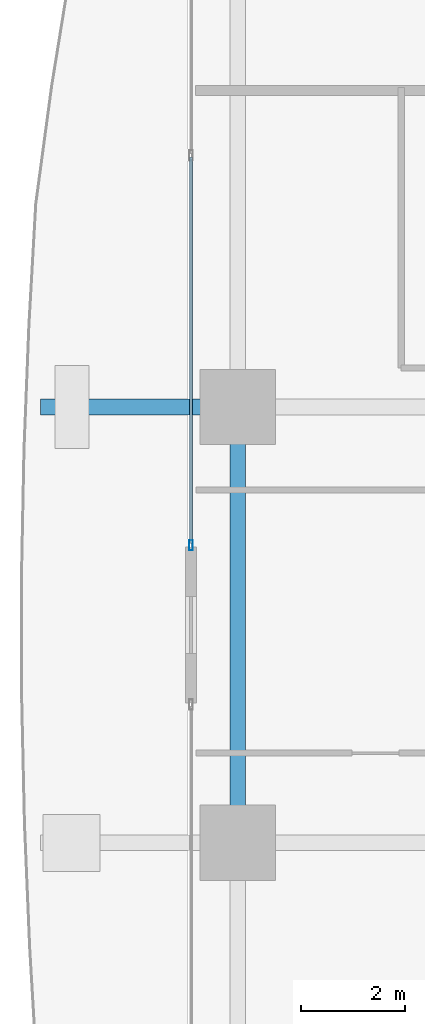
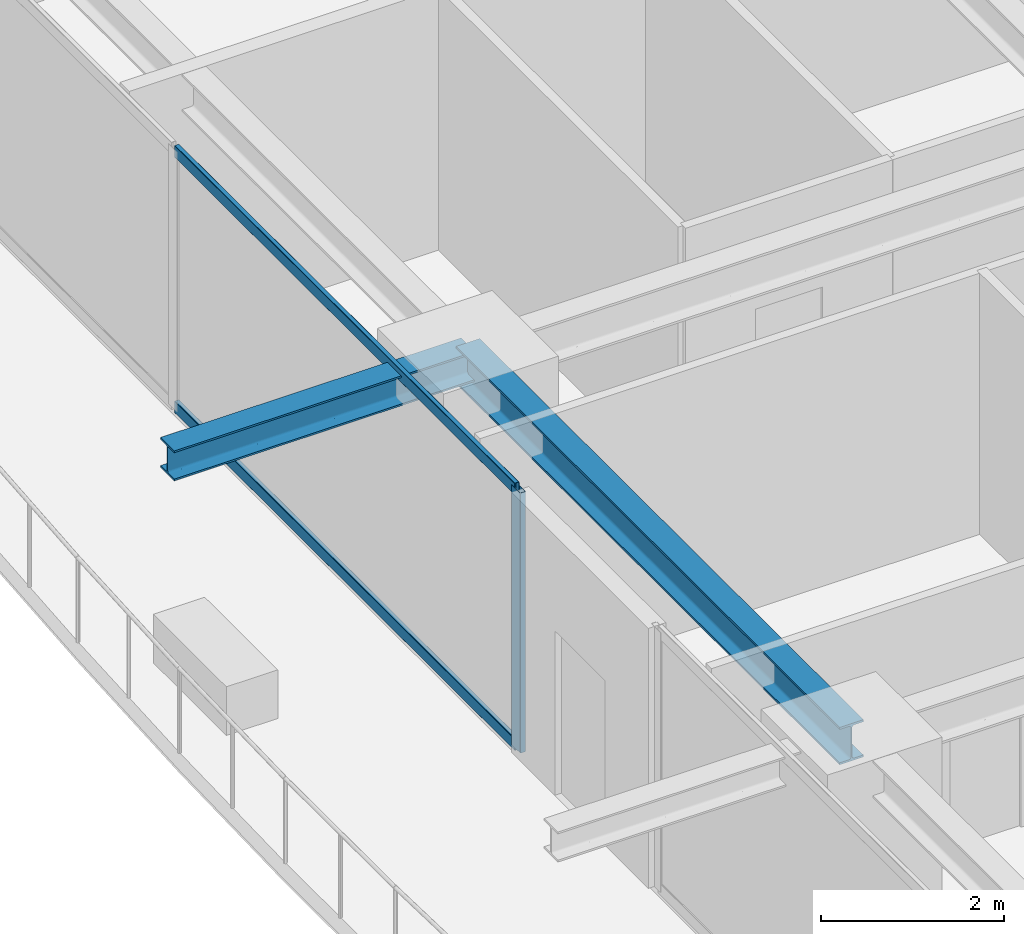
# One storey, part 8 of 35: 3 members, 2 beams, 1 element without a shape of its own.
"""IFC4 building model written with IfcOpenShell, lengths in metres."""

from ifc_helpers import new_model, si_unit, direction, frame, origin, origin_2d, place, context, subcontext, project, spatial, hollow_rectangle, i_section, extrude, source, transform, mapped, material, layer, layer_set, material_profile, profile_set, type_object, element, aggregate, save


model = new_model("IFC4")

# Units and contexts
model_context = context("Model", 3, precision=1e-05, world=origin(), true_north=direction((0.0, 1.0)))
body_context = subcontext(model_context, "Body", "Model", "MODEL_VIEW")
ifc_project = project(units=[si_unit("LENGTHUNIT", "METRE"), si_unit("AREAUNIT", "SQUARE_METRE"), si_unit("VOLUMEUNIT", "CUBIC_METRE"), si_unit("PLANEANGLEUNIT", "RADIAN"), si_unit("MASSUNIT", "GRAM", prefix="KILO")], contexts=[model_context])

# Site, building, storey
site_placement = place(None, origin())
site = spatial("IfcSite", under=ifc_project, at=site_placement, CompositionType="ELEMENT")
building_placement = place(site_placement, origin())
building = spatial("IfcBuilding", under=site, at=building_placement, Name="Serunith Strait Residences", CompositionType="ELEMENT")
storey_placement = place(building_placement, frame((0.0, 0.0, 56.699951171875)))
storey = spatial("IfcBuildingStorey", under=building, at=storey_placement, Name="L13", CompositionType="ELEMENT", Elevation=56.699951171875)

# Beams
ifc_material_1 = material(Name="Steel S355J2", Category="steel")
ifc_material_profile_1 = material_profile(ifc_material_1, i_section(OverallWidth=0.300048828125, OverallDepth=0.5, WebThickness=0.014404296875, FlangeThickness=0.028076171875, FilletRadius=0.027099609375, at=origin_2d()), Name="HEB 500")
ifc_profile_set_1 = profile_set([ifc_material_profile_1], Name="Steel S355J2")
beam_type_1 = type_object("IfcBeamType", Name="BM-HEB500", PredefinedType="BEAM", material=ifc_profile_set_1)
shared_shape_1 = source(origin(), body_context, "Body", "SweptSolid", [
    extrude(i_section(OverallWidth=0.300048828125, OverallDepth=0.5, WebThickness=0.014404296875, FlangeThickness=0.028076171875, FilletRadius=0.027099609375, at=origin_2d()), origin(), (0.0, 0.0, 1.0), 8.39990234375),
])
beam_1_placement = place(storey_placement, frame((6.89990234375, 29.39990234375, 3.237060546875), z_axis=(0.0, -1.0, 0.0), x_axis=(1.0, 0.0, 0.0)))
element("IfcBeam", 1, at=beam_1_placement, inside=storey, type_object=beam_type_1, Name="L13 Perimeter Ring Beam 14", PredefinedType="BEAM", context=body_context, shape_type="MappedRepresentation", body=[
    mapped(shared_shape_1, transform((0.0, 0.0, 0.0), scale=1.0)),
])
ifc_material_profile_2 = material_profile(ifc_material_1, i_section(OverallWidth=0.300048828125, OverallDepth=0.39990234375, WebThickness=0.013427734375, FlangeThickness=0.02392578125, FilletRadius=0.027099609375, at=origin_2d()), Name="HEB 400")
ifc_profile_set_2 = profile_set([ifc_material_profile_2], Name="Steel S355J2")
beam_type_2 = type_object("IfcBeamType", Name="BM-HEB400", PredefinedType="BEAM", material=ifc_profile_set_2)
shared_shape_2 = source(origin(), body_context, "Body", "SweptSolid", [
    extrude(i_section(OverallWidth=0.300048828125, OverallDepth=0.39990234375, WebThickness=0.013427734375, FlangeThickness=0.02392578125, FilletRadius=0.027099609375, at=origin_2d()), origin(), (0.0, 0.0, 1.0), 3.7998046875),
])
beam_2_placement = place(storey_placement, frame((6.89990234375, 29.39990234375, 3.257080078125), z_axis=(-1.0, 0.0, 0.0), x_axis=(0.0, -1.0, 0.0)))
element("IfcBeam", 2, at=beam_2_placement, inside=storey, type_object=beam_type_2, Name="L14 Cantilevered Balcony Rib TC-W3", PredefinedType="BEAM", context=body_context, shape_type="MappedRepresentation", body=[
    mapped(shared_shape_2, transform((0.0, 0.0, 0.0), scale=1.0)),
])

# Curtain wall, members
ifc_material_2 = material(Name="Pale-Champagne Anodised Aluminium", Category="aluminium")
ifc_layer = layer(ifc_material_2, 0.199951171875, Name="Pale-Champagne Anodised Aluminium")
ifc_layer_set = layer_set([ifc_layer], Name="Pale-Champagne Anodised Aluminium")
curtain_wall_type = type_object("IfcCurtainWallType", Name="CW-SYS1", PredefinedType="NOTDEFINED", material=ifc_layer_set)
curtain_wall_placement = place(storey_placement, origin())
curtain_wall = element("IfcCurtainWall", 3, at=curtain_wall_placement, inside=storey, type_object=curtain_wall_type, Name="L13 W Unitised Fritted Curtain Wall", PredefinedType="NOTDEFINED")
ifc_material_profile_3 = material_profile(ifc_material_2, hollow_rectangle(XDim=0.070068359375, YDim=0.199951171875, WallThickness=0.00390625, InnerFilletRadius=0.006103515625, OuterFilletRadius=0.010009765625, at=origin_2d()), Name="ALU 200x70x4")
ifc_profile_set_3 = profile_set([ifc_material_profile_3], Name="Pale-Champagne Anodised Aluminium")
member_type_1 = type_object("IfcMemberType", Name="CW-SYS1-MULL", PredefinedType="MULLION", material=ifc_profile_set_3)
shared_shape_3 = source(origin(), body_context, "Body", "SweptSolid", [
    extrude(hollow_rectangle(XDim=0.070068359375, YDim=0.199951171875, WallThickness=0.00390625, InnerFilletRadius=0.006103515625, OuterFilletRadius=0.010009765625, at=origin_2d()), origin(), (0.0, 0.0, 1.0), 3.47509765625),
])
member_1_placement = place(storey_placement, frame((6.0, 26.735107421875, 0.0), z_axis=(0.0, 0.0, 1.0), x_axis=(1.0, 0.0, 0.0)))
member_1 = element("IfcMember", 4, at=member_1_placement, type_object=member_type_1, Name="CW-1 mullion 3", PredefinedType="MULLION", context=body_context, shape_type="MappedRepresentation", body=[
    mapped(shared_shape_3, transform((0.0, 0.0, 0.0), scale=1.0)),
])
ifc_material_profile_4 = material_profile(ifc_material_2, hollow_rectangle(XDim=0.06005859375, YDim=0.159912109375, WallThickness=0.00341796875, InnerFilletRadius=0.00537109375, OuterFilletRadius=0.0087890625, at=origin_2d()), Name="ALU 160x60x3.5")
ifc_profile_set_4 = profile_set([ifc_material_profile_4], Name="Pale-Champagne Anodised Aluminium")
member_type_2 = type_object("IfcMemberType", Name="CW-SYS1-TRAN", PredefinedType="USERDEFINED", material=ifc_profile_set_4)
shared_shape_4 = source(origin(), body_context, "Body", "SweptSolid", [
    extrude(hollow_rectangle(XDim=0.06005859375, YDim=0.159912109375, WallThickness=0.00341796875, InnerFilletRadius=0.00537109375, OuterFilletRadius=0.0087890625, at=origin_2d()), origin(), (0.0, 0.0, 1.0), 7.445068359375),
])
member_2_placement = place(storey_placement, frame((6.0, 34.215087890625, 0.030029296875), z_axis=(0.0, -1.0, 0.0), x_axis=(1.0, 0.0, 0.0)))
member_2 = element("IfcMember", 5, at=member_2_placement, type_object=member_type_2, Name="CW-1 transom 2.1", ObjectType="TRANSOM", PredefinedType="USERDEFINED", context=body_context, shape_type="MappedRepresentation", body=[
    mapped(shared_shape_4, transform((0.0, 0.0, 0.0), scale=1.0)),
])
member_3_placement = place(storey_placement, frame((6.0, 34.215087890625, 3.445068359375), z_axis=(0.0, -1.0, 0.0), x_axis=(1.0, 0.0, 0.0)))
member_3 = element("IfcMember", 6, at=member_3_placement, type_object=member_type_2, Name="CW-1 transom 2.2", ObjectType="TRANSOM", PredefinedType="USERDEFINED", context=body_context, shape_type="MappedRepresentation", body=[
    mapped(shared_shape_4, transform((0.0, 0.0, 0.0), scale=1.0)),
])
aggregate(curtain_wall, [member_1, member_2, member_3])

save(model, "model.ifc")
